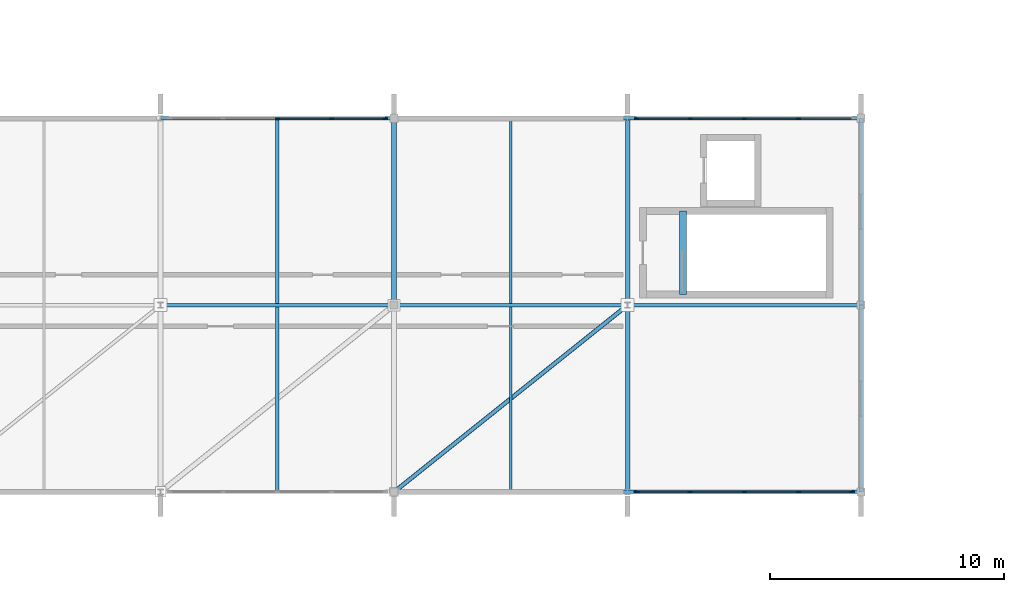
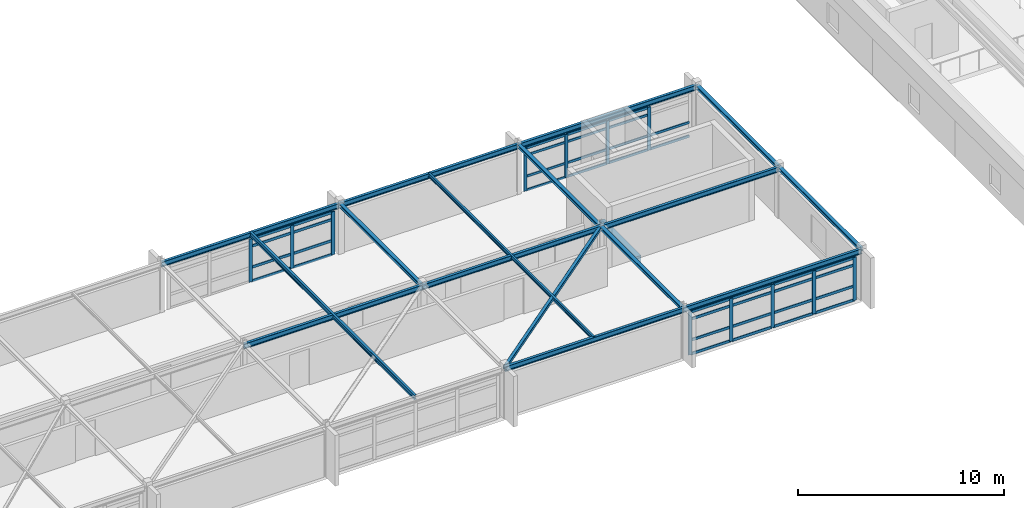
# One storey, part 12 of 83: 51 members, 16 beams, 3 elements without a shape of their own.
"""IFC4 building model written with IfcOpenShell, lengths in metres."""

from ifc_helpers import new_model, si_unit, direction, frame, origin, origin_2d, place, context, subcontext, project, spatial, rectangle, hollow_rectangle, i_section, extrude, material, material_profile, profile_set, type_object, element, aggregate, save


model = new_model("IFC4")

# Units and contexts
model_context = context("Model", 3, precision=1e-05, world=origin(), true_north=direction((0.0, 1.0)))
body_context = subcontext(model_context, "Body", "Model", "MODEL_VIEW")
ifc_project = project(units=[si_unit("LENGTHUNIT", "METRE"), si_unit("AREAUNIT", "SQUARE_METRE"), si_unit("VOLUMEUNIT", "CUBIC_METRE"), si_unit("PLANEANGLEUNIT", "RADIAN"), si_unit("MASSUNIT", "GRAM", prefix="KILO")], contexts=[model_context])

# Site, building, storey
site_placement = place(None, origin())
site = spatial("IfcSite", under=ifc_project, at=site_placement, CompositionType="ELEMENT")
building_placement = place(site_placement, origin())
building = spatial("IfcBuilding", under=site, at=building_placement, Name="Zimvara Arc Housing Community", CompositionType="ELEMENT")
storey_placement = place(building_placement, frame((0.0, 0.0, 4.5)))
storey = spatial("IfcBuildingStorey", under=building, at=storey_placement, Name="L01", CompositionType="ELEMENT", Elevation=4.5)

# Beams
ifc_material_1 = material(Name="Concrete C40/50", Category="concrete")
ifc_material_profile_1 = material_profile(ifc_material_1, rectangle(XDim=0.300048828125, YDim=0.5, at=origin_2d()), Name="RC 300x500")
ifc_profile_set_1 = profile_set([ifc_material_profile_1], Name="Concrete C40/50")
beam_type_1 = type_object("IfcBeamType", Name="BM-RC-300x500", PredefinedType="BEAM", material=ifc_profile_set_1)
beam_1_placement = place(storey_placement, frame((50.3798828125, 12.054931640625, -0.25), z_axis=(0.0, 1.0, 0.0), x_axis=(-1.0, 0.0, 0.0)))
element("IfcBeam", 1, at=beam_1_placement, inside=storey, type_object=beam_type_1, Name="bm:stair_trim:ST-S1:L01:near", PredefinedType="BEAM", context=body_context, shape_type="SweptSolid", body=[
    extrude(rectangle(XDim=0.300048828125, YDim=0.5, at=origin_2d()), origin(), (0.0, 0.0, 1.0), 3.570068359375),
])
ifc_material_2 = material(Name="Steel S355", Category="steel")
ifc_material_profile_2 = material_profile(ifc_material_2, i_section(OverallWidth=0.199951171875, OverallDepth=0.18994140625, WebThickness=0.006591796875, FlangeThickness=0.010009765625, FilletRadius=0.01806640625, at=origin_2d()), Name="HEA 200")
ifc_profile_set_2 = profile_set([ifc_material_profile_2], Name="Steel S355")
beam_type_2 = type_object("IfcBeamType", Name="BM-ST-HEA200", PredefinedType="BEAM", material=ifc_profile_set_2)
for number, where, z_axis, x_axis, name in (
    (2, (38.0, 11.60009765625, 2.85498046875), (0.0, 1.0, 0.0), (-1.0, 0.0, 0.0), "bm:shops:L01:y:x4:b1"),
    (3, (48.0, 3.60009765625, 2.85498046875), (0.0, 1.0, 0.0), (-1.0, 0.0, 0.0), "bm:shops:L01:y:x5:b0"),
    (4, (48.0, 11.60009765625, 2.85498046875), (0.0, 1.0, 0.0), (-1.0, 0.0, 0.0), "bm:shops:L01:y:x5:b1"),
    (5, (58.0, 3.60009765625, 2.85498046875), (0.0, 1.0, 0.0), (-1.0, 0.0, 0.0), "bm:shops:L01:y:x6:b0"),
    (6, (58.0, 11.60009765625, 2.85498046875), (0.0, 1.0, 0.0), (-1.0, 0.0, 0.0), "bm:shops:L01:y:x6:b1"),
):
    element("IfcBeam", number, at=place(storey_placement, frame(where, z_axis=z_axis, x_axis=x_axis)), inside=storey, type_object=beam_type_2, Name=name, PredefinedType="BEAM", context=body_context, shape_type="SweptSolid", body=[
        extrude(i_section(OverallWidth=0.199951171875, OverallDepth=0.18994140625, WebThickness=0.006591796875, FlangeThickness=0.010009765625, FilletRadius=0.01806640625, at=origin_2d()), origin(), (0.0, 0.0, 1.0), 8.0),
    ])
ifc_material_3 = material(Name="Steel S355", Category="steel")
ifc_material_profile_3 = material_profile(ifc_material_3, i_section(OverallWidth=0.110107421875, OverallDepth=0.219970703125, WebThickness=0.005859375, FlangeThickness=0.00927734375, FilletRadius=0.011962890625, at=origin_2d()), Name="IPE 220")
ifc_profile_set_3 = profile_set([ifc_material_profile_3], Name="Steel S355")
beam_type_3 = type_object("IfcBeamType", Name="BM-ST-IPE220", PredefinedType="JOIST", material=ifc_profile_set_3)
beam_2_placement = place(storey_placement, frame((43.0, 3.60009765625, 2.85009765625), z_axis=(0.0, 1.0, 0.0), x_axis=(-1.0, 0.0, 0.0)))
element("IfcBeam", 7, at=beam_2_placement, inside=storey, type_object=beam_type_3, Name="bm:shops:L01:joist:b4", PredefinedType="JOIST", context=body_context, shape_type="SweptSolid", body=[
    extrude(i_section(OverallWidth=0.110107421875, OverallDepth=0.219970703125, WebThickness=0.005859375, FlangeThickness=0.00927734375, FilletRadius=0.011962890625, at=origin_2d()), origin(), (0.0, 0.0, 1.0), 16.0),
])
ifc_material_4 = material(Name="Steel S355", Category="steel")
ifc_material_profile_4 = material_profile(ifc_material_4, i_section(OverallWidth=0.135009765625, OverallDepth=0.27001953125, WebThickness=0.006591796875, FlangeThickness=0.01025390625, FilletRadius=0.014892578125, at=origin_2d()), Name="IPE 270")
ifc_profile_set_4 = profile_set([ifc_material_profile_4], Name="Steel S355")
beam_type_4 = type_object("IfcBeamType", Name="BM-ST-IPE270", PredefinedType="JOIST", material=ifc_profile_set_4)
beam_3_placement = place(storey_placement, frame((33.0, 3.60009765625, 2.85009765625), z_axis=(0.0, 1.0, 0.0), x_axis=(-1.0, 0.0, 0.0)))
element("IfcBeam", 8, at=beam_3_placement, inside=storey, type_object=beam_type_4, Name="bm:shops:L01:joist:b3", PredefinedType="JOIST", context=body_context, shape_type="SweptSolid", body=[
    extrude(i_section(OverallWidth=0.135009765625, OverallDepth=0.27001953125, WebThickness=0.006591796875, FlangeThickness=0.01025390625, FilletRadius=0.014892578125, at=origin_2d()), origin(), (0.0, 0.0, 1.0), 16.0),
])
ifc_material_5 = material(Name="Steel S355", Category="steel")
ifc_material_profile_5 = material_profile(ifc_material_5, i_section(OverallWidth=0.14990234375, OverallDepth=0.300048828125, WebThickness=0.007080078125, FlangeThickness=0.0107421875, FilletRadius=0.014892578125, at=origin_2d()), Name="IPE 300")
ifc_profile_set_5 = profile_set([ifc_material_profile_5], Name="Steel S355")
beam_type_5 = type_object("IfcBeamType", Name="BM-ST-IPE300", PredefinedType="BEAM", material=ifc_profile_set_5)
for number, where, z_axis, x_axis, name in (
    (9, (38.0, 3.60009765625, 2.800048828125), (1.0, 0.0, 0.0), (0.0, 1.0, 0.0), "bm:shops:L01:x:y0:b4"),
    (10, (48.0, 3.60009765625, 2.800048828125), (1.0, 0.0, 0.0), (0.0, 1.0, 0.0), "bm:shops:L01:x:y0:b5"),
    (11, (28.0, 11.60009765625, 2.800048828125), (1.0, 0.0, 0.0), (0.0, 1.0, 0.0), "bm:shops:L01:x:y1:b3"),
    (12, (38.0, 11.60009765625, 2.800048828125), (1.0, 0.0, 0.0), (0.0, 1.0, 0.0), "bm:shops:L01:x:y1:b4"),
    (13, (48.0, 11.60009765625, 2.800048828125), (1.0, 0.0, 0.0), (0.0, 1.0, 0.0), "bm:shops:L01:x:y1:b5"),
    (14, (28.0, 19.60009765625, 2.800048828125), (1.0, 0.0, 0.0), (0.0, 1.0, 0.0), "bm:shops:L01:x:y2:b3"),
    (15, (38.0, 19.60009765625, 2.800048828125), (1.0, 0.0, 0.0), (0.0, 1.0, 0.0), "bm:shops:L01:x:y2:b4"),
    (16, (48.0, 19.60009765625, 2.800048828125), (1.0, 0.0, 0.0), (0.0, 1.0, 0.0), "bm:shops:L01:x:y2:b5"),
):
    element("IfcBeam", number, at=place(storey_placement, frame(where, z_axis=z_axis, x_axis=x_axis)), inside=storey, type_object=beam_type_5, Name=name, PredefinedType="BEAM", context=body_context, shape_type="SweptSolid", body=[
        extrude(i_section(OverallWidth=0.14990234375, OverallDepth=0.300048828125, WebThickness=0.007080078125, FlangeThickness=0.0107421875, FilletRadius=0.014892578125, at=origin_2d()), origin(), (0.0, 0.0, 1.0), 10.0),
    ])

# Curtain wall, members
ifc_material_6 = material(Name="Anodised Aluminium AW-6063", Category="aluminium")
curtain_wall_type_1 = type_object("IfcCurtainWallType", Name="CW-SYS-04", PredefinedType="USERDEFINED", material=ifc_material_6)
curtain_wall_1_placement = place(storey_placement, origin())
curtain_wall_1 = element("IfcCurtainWall", 17, at=curtain_wall_1_placement, inside=storey, type_object=curtain_wall_type_1, Name="cw:shops:L01:north:b5", ObjectType="CURTAIN WALL", PredefinedType="USERDEFINED")
ifc_material_7 = material(Name="Anodised Aluminium AW-6063", Category="aluminium")
ifc_material_profile_6 = material_profile(ifc_material_7, rectangle(XDim=0.06494140625, YDim=0.179931640625, at=origin_2d()), Name="ALU 65x180")
ifc_profile_set_6 = profile_set([ifc_material_profile_6], Name="Anodised Aluminium AW-6063")
member_type_1 = type_object("IfcMemberType", Name="CWM-65x150", PredefinedType="MULLION", material=ifc_profile_set_6)
member_1_placement = place(storey_placement, frame((48.392578125, 19.60009765625, 0.0), z_axis=(0.0, 0.0, 1.0), x_axis=(0.0, 1.0, 0.0)))
member_1 = element("IfcMember", 18, at=member_1_placement, type_object=member_type_1, Name="CW04 mullion 1", PredefinedType="MULLION", context=body_context, shape_type="SweptSolid", body=[
    extrude(rectangle(XDim=0.06494140625, YDim=0.179931640625, at=origin_2d()), origin(), (0.0, 0.0, 1.0), 2.550048828125),
])
member_2_placement = place(storey_placement, frame((50.679931640625, 19.60009765625, 0.0), z_axis=(0.0, 0.0, 1.0), x_axis=(0.0, 1.0, 0.0)))
member_2 = element("IfcMember", 19, at=member_2_placement, type_object=member_type_1, Name="CW04 mullion 2", PredefinedType="MULLION", context=body_context, shape_type="SweptSolid", body=[
    extrude(rectangle(XDim=0.06494140625, YDim=0.179931640625, at=origin_2d()), origin(), (0.0, 0.0, 1.0), 2.550048828125),
])
member_3_placement = place(storey_placement, frame((53.0, 19.60009765625, 0.0), z_axis=(0.0, 0.0, 1.0), x_axis=(0.0, 1.0, 0.0)))
member_3 = element("IfcMember", 20, at=member_3_placement, type_object=member_type_1, Name="CW04 mullion 3", PredefinedType="MULLION", context=body_context, shape_type="SweptSolid", body=[
    extrude(rectangle(XDim=0.06494140625, YDim=0.179931640625, at=origin_2d()), origin(), (0.0, 0.0, 1.0), 2.550048828125),
])
member_4_placement = place(storey_placement, frame((55.320068359375, 19.60009765625, 0.0), z_axis=(0.0, 0.0, 1.0), x_axis=(0.0, 1.0, 0.0)))
member_4 = element("IfcMember", 21, at=member_4_placement, type_object=member_type_1, Name="CW04 mullion 4", PredefinedType="MULLION", context=body_context, shape_type="SweptSolid", body=[
    extrude(rectangle(XDim=0.06494140625, YDim=0.179931640625, at=origin_2d()), origin(), (0.0, 0.0, 1.0), 2.550048828125),
])

ifc_material_8 = material(Name="Anodised Aluminium AW-6063", Category="aluminium")
curtain_wall_type_2 = type_object("IfcCurtainWallType", Name="CW-SYS-01", PredefinedType="USERDEFINED", material=ifc_material_8)
curtain_wall_2_placement = place(storey_placement, origin())
curtain_wall_2 = element("IfcCurtainWall", 22, at=curtain_wall_2_placement, inside=storey, type_object=curtain_wall_type_2, Name="cw:shops:L01:south:b5", ObjectType="CURTAIN WALL", PredefinedType="USERDEFINED")
ifc_material_9 = material(Name="Anodised Aluminium AW-6063", Category="aluminium")
ifc_material_profile_7 = material_profile(ifc_material_9, rectangle(XDim=0.06494140625, YDim=0.195068359375, at=origin_2d()), Name="ALU 65x195")
ifc_profile_set_7 = profile_set([ifc_material_profile_7], Name="Anodised Aluminium AW-6063")
member_type_2 = type_object("IfcMemberType", Name="CWM-65x180", PredefinedType="MULLION", material=ifc_profile_set_7)
member_5_placement = place(storey_placement, frame((48.392578125, 3.60009765625, 0.0), z_axis=(0.0, 0.0, 1.0), x_axis=(0.0, 1.0, 0.0)))
member_5 = element("IfcMember", 23, at=member_5_placement, type_object=member_type_2, Name="CW01 mullion 1", PredefinedType="MULLION", context=body_context, shape_type="SweptSolid", body=[
    extrude(rectangle(XDim=0.06494140625, YDim=0.195068359375, at=origin_2d()), origin(), (0.0, 0.0, 1.0), 2.550048828125),
])
member_6_placement = place(storey_placement, frame((50.679931640625, 3.60009765625, 0.0), z_axis=(0.0, 0.0, 1.0), x_axis=(0.0, 1.0, 0.0)))
member_6 = element("IfcMember", 24, at=member_6_placement, type_object=member_type_2, Name="CW01 mullion 2", PredefinedType="MULLION", context=body_context, shape_type="SweptSolid", body=[
    extrude(rectangle(XDim=0.06494140625, YDim=0.195068359375, at=origin_2d()), origin(), (0.0, 0.0, 1.0), 2.550048828125),
])
member_7_placement = place(storey_placement, frame((53.0, 3.60009765625, 0.0), z_axis=(0.0, 0.0, 1.0), x_axis=(0.0, 1.0, 0.0)))
member_7 = element("IfcMember", 25, at=member_7_placement, type_object=member_type_2, Name="CW01 mullion 3", PredefinedType="MULLION", context=body_context, shape_type="SweptSolid", body=[
    extrude(rectangle(XDim=0.06494140625, YDim=0.195068359375, at=origin_2d()), origin(), (0.0, 0.0, 1.0), 2.550048828125),
])
member_8_placement = place(storey_placement, frame((55.320068359375, 3.60009765625, 0.0), z_axis=(0.0, 0.0, 1.0), x_axis=(0.0, 1.0, 0.0)))
member_8 = element("IfcMember", 26, at=member_8_placement, type_object=member_type_2, Name="CW01 mullion 4", PredefinedType="MULLION", context=body_context, shape_type="SweptSolid", body=[
    extrude(rectangle(XDim=0.06494140625, YDim=0.195068359375, at=origin_2d()), origin(), (0.0, 0.0, 1.0), 2.550048828125),
])
member_9_placement = place(storey_placement, frame((57.607421875, 3.60009765625, 0.0), z_axis=(0.0, 0.0, 1.0), x_axis=(0.0, 1.0, 0.0)))
member_9 = element("IfcMember", 27, at=member_9_placement, type_object=member_type_2, Name="CW01 mullion 5", PredefinedType="MULLION", context=body_context, shape_type="SweptSolid", body=[
    extrude(rectangle(XDim=0.06494140625, YDim=0.195068359375, at=origin_2d()), origin(), (0.0, 0.0, 1.0), 2.550048828125),
])

ifc_material_10 = material(Name="Anodised Aluminium AW-6063", Category="aluminium")
curtain_wall_type_3 = type_object("IfcCurtainWallType", Name="CW-SYS-03", PredefinedType="USERDEFINED", material=ifc_material_10)
curtain_wall_3_placement = place(storey_placement, origin())
curtain_wall_3 = element("IfcCurtainWall", 28, at=curtain_wall_3_placement, inside=storey, type_object=curtain_wall_type_3, Name="cw:shops:L01:north:b3", ObjectType="CURTAIN WALL", PredefinedType="USERDEFINED")
member_10_placement = place(storey_placement, frame((33.0, 19.60009765625, 0.0), z_axis=(0.0, 0.0, 1.0), x_axis=(0.0, 1.0, 0.0)))
member_10 = element("IfcMember", 29, at=member_10_placement, type_object=member_type_2, Name="CW03 mullion 3", PredefinedType="MULLION", context=body_context, shape_type="SweptSolid", body=[
    extrude(rectangle(XDim=0.06494140625, YDim=0.195068359375, at=origin_2d()), origin(), (0.0, 0.0, 1.0), 2.550048828125),
])
member_11_placement = place(storey_placement, frame((35.320068359375, 19.60009765625, 0.0), z_axis=(0.0, 0.0, 1.0), x_axis=(0.0, 1.0, 0.0)))
member_11 = element("IfcMember", 30, at=member_11_placement, type_object=member_type_2, Name="CW03 mullion 4", PredefinedType="MULLION", context=body_context, shape_type="SweptSolid", body=[
    extrude(rectangle(XDim=0.06494140625, YDim=0.195068359375, at=origin_2d()), origin(), (0.0, 0.0, 1.0), 2.550048828125),
])
member_12_placement = place(storey_placement, frame((37.607421875, 19.60009765625, 0.0), z_axis=(0.0, 0.0, 1.0), x_axis=(0.0, 1.0, 0.0)))
member_12 = element("IfcMember", 31, at=member_12_placement, type_object=member_type_2, Name="CW03 mullion 5", PredefinedType="MULLION", context=body_context, shape_type="SweptSolid", body=[
    extrude(rectangle(XDim=0.06494140625, YDim=0.195068359375, at=origin_2d()), origin(), (0.0, 0.0, 1.0), 2.550048828125),
])

# Member
ifc_material_11 = material(Name="Anodised Aluminium AW-6063", Category="aluminium")
ifc_material_profile_8 = material_profile(ifc_material_11, rectangle(XDim=0.06494140625, YDim=0.139892578125, at=origin_2d()), Name="ALU 65x140")
ifc_profile_set_8 = profile_set([ifc_material_profile_8], Name="Anodised Aluminium AW-6063")
member_type_3 = type_object("IfcMemberType", Name="CWT-65x120", PredefinedType="USERDEFINED", material=ifc_profile_set_8)
member_13_placement = place(storey_placement, frame((48.425048828125, 19.60009765625, 0.032470703125), z_axis=(1.0, 0.0, 0.0), x_axis=(0.0, 1.0, 0.0)))
member_13 = element("IfcMember", 32, at=member_13_placement, type_object=member_type_3, Name="CW04 transom 1.1", ObjectType="TRANSOM", PredefinedType="USERDEFINED", context=body_context, shape_type="SweptSolid", body=[
    extrude(rectangle(XDim=0.06494140625, YDim=0.139892578125, at=origin_2d()), origin(), (0.0, 0.0, 1.0), 2.222412109375),
])

member_14_placement = place(storey_placement, frame((48.425048828125, 19.60009765625, 0.85009765625), z_axis=(1.0, 0.0, 0.0), x_axis=(0.0, 1.0, 0.0)))
member_14 = element("IfcMember", 33, at=member_14_placement, type_object=member_type_3, Name="CW04 transom 1.2", ObjectType="TRANSOM", PredefinedType="USERDEFINED", context=body_context, shape_type="SweptSolid", body=[
    extrude(rectangle(XDim=0.06494140625, YDim=0.139892578125, at=origin_2d()), origin(), (0.0, 0.0, 1.0), 2.222412109375),
])

member_15_placement = place(storey_placement, frame((48.425048828125, 19.60009765625, 2.10009765625), z_axis=(1.0, 0.0, 0.0), x_axis=(0.0, 1.0, 0.0)))
member_15 = element("IfcMember", 34, at=member_15_placement, type_object=member_type_3, Name="CW04 transom 1.3", ObjectType="TRANSOM", PredefinedType="USERDEFINED", context=body_context, shape_type="SweptSolid", body=[
    extrude(rectangle(XDim=0.06494140625, YDim=0.139892578125, at=origin_2d()), origin(), (0.0, 0.0, 1.0), 2.222412109375),
])

member_16_placement = place(storey_placement, frame((48.425048828125, 19.60009765625, 2.517578125), z_axis=(1.0, 0.0, 0.0), x_axis=(0.0, 1.0, 0.0)))
member_16 = element("IfcMember", 35, at=member_16_placement, type_object=member_type_3, Name="CW04 transom 1.4", ObjectType="TRANSOM", PredefinedType="USERDEFINED", context=body_context, shape_type="SweptSolid", body=[
    extrude(rectangle(XDim=0.06494140625, YDim=0.139892578125, at=origin_2d()), origin(), (0.0, 0.0, 1.0), 2.222412109375),
])

member_17_placement = place(storey_placement, frame((50.71240234375, 19.60009765625, 0.032470703125), z_axis=(1.0, 0.0, 0.0), x_axis=(0.0, 1.0, 0.0)))
member_17 = element("IfcMember", 36, at=member_17_placement, type_object=member_type_3, Name="CW04 transom 2.1", ObjectType="TRANSOM", PredefinedType="USERDEFINED", context=body_context, shape_type="SweptSolid", body=[
    extrude(rectangle(XDim=0.06494140625, YDim=0.139892578125, at=origin_2d()), origin(), (0.0, 0.0, 1.0), 2.255126953125),
])

member_18_placement = place(storey_placement, frame((50.71240234375, 19.60009765625, 0.85009765625), z_axis=(1.0, 0.0, 0.0), x_axis=(0.0, 1.0, 0.0)))
member_18 = element("IfcMember", 37, at=member_18_placement, type_object=member_type_3, Name="CW04 transom 2.2", ObjectType="TRANSOM", PredefinedType="USERDEFINED", context=body_context, shape_type="SweptSolid", body=[
    extrude(rectangle(XDim=0.06494140625, YDim=0.139892578125, at=origin_2d()), origin(), (0.0, 0.0, 1.0), 2.255126953125),
])

member_19_placement = place(storey_placement, frame((50.71240234375, 19.60009765625, 2.10009765625), z_axis=(1.0, 0.0, 0.0), x_axis=(0.0, 1.0, 0.0)))
member_19 = element("IfcMember", 38, at=member_19_placement, type_object=member_type_3, Name="CW04 transom 2.3", ObjectType="TRANSOM", PredefinedType="USERDEFINED", context=body_context, shape_type="SweptSolid", body=[
    extrude(rectangle(XDim=0.06494140625, YDim=0.139892578125, at=origin_2d()), origin(), (0.0, 0.0, 1.0), 2.255126953125),
])

member_20_placement = place(storey_placement, frame((50.71240234375, 19.60009765625, 2.517578125), z_axis=(1.0, 0.0, 0.0), x_axis=(0.0, 1.0, 0.0)))
member_20 = element("IfcMember", 39, at=member_20_placement, type_object=member_type_3, Name="CW04 transom 2.4", ObjectType="TRANSOM", PredefinedType="USERDEFINED", context=body_context, shape_type="SweptSolid", body=[
    extrude(rectangle(XDim=0.06494140625, YDim=0.139892578125, at=origin_2d()), origin(), (0.0, 0.0, 1.0), 2.255126953125),
])

member_21_placement = place(storey_placement, frame((53.032470703125, 19.60009765625, 0.032470703125), z_axis=(1.0, 0.0, 0.0), x_axis=(0.0, 1.0, 0.0)))
member_21 = element("IfcMember", 40, at=member_21_placement, type_object=member_type_3, Name="CW04 transom 3.1", ObjectType="TRANSOM", PredefinedType="USERDEFINED", context=body_context, shape_type="SweptSolid", body=[
    extrude(rectangle(XDim=0.06494140625, YDim=0.139892578125, at=origin_2d()), origin(), (0.0, 0.0, 1.0), 2.255126953125),
])

member_22_placement = place(storey_placement, frame((53.032470703125, 19.60009765625, 0.85009765625), z_axis=(1.0, 0.0, 0.0), x_axis=(0.0, 1.0, 0.0)))
member_22 = element("IfcMember", 41, at=member_22_placement, type_object=member_type_3, Name="CW04 transom 3.2", ObjectType="TRANSOM", PredefinedType="USERDEFINED", context=body_context, shape_type="SweptSolid", body=[
    extrude(rectangle(XDim=0.06494140625, YDim=0.139892578125, at=origin_2d()), origin(), (0.0, 0.0, 1.0), 2.255126953125),
])

member_23_placement = place(storey_placement, frame((53.032470703125, 19.60009765625, 2.10009765625), z_axis=(1.0, 0.0, 0.0), x_axis=(0.0, 1.0, 0.0)))
member_23 = element("IfcMember", 42, at=member_23_placement, type_object=member_type_3, Name="CW04 transom 3.3", ObjectType="TRANSOM", PredefinedType="USERDEFINED", context=body_context, shape_type="SweptSolid", body=[
    extrude(rectangle(XDim=0.06494140625, YDim=0.139892578125, at=origin_2d()), origin(), (0.0, 0.0, 1.0), 2.255126953125),
])

member_24_placement = place(storey_placement, frame((53.032470703125, 19.60009765625, 2.517578125), z_axis=(1.0, 0.0, 0.0), x_axis=(0.0, 1.0, 0.0)))
member_24 = element("IfcMember", 43, at=member_24_placement, type_object=member_type_3, Name="CW04 transom 3.4", ObjectType="TRANSOM", PredefinedType="USERDEFINED", context=body_context, shape_type="SweptSolid", body=[
    extrude(rectangle(XDim=0.06494140625, YDim=0.139892578125, at=origin_2d()), origin(), (0.0, 0.0, 1.0), 2.255126953125),
])

member_25_placement = place(storey_placement, frame((55.3525390625, 19.60009765625, 0.032470703125), z_axis=(1.0, 0.0, 0.0), x_axis=(0.0, 1.0, 0.0)))
member_25 = element("IfcMember", 44, at=member_25_placement, type_object=member_type_3, Name="CW04 transom 4.1", ObjectType="TRANSOM", PredefinedType="USERDEFINED", context=body_context, shape_type="SweptSolid", body=[
    extrude(rectangle(XDim=0.06494140625, YDim=0.139892578125, at=origin_2d()), origin(), (0.0, 0.0, 1.0), 2.222412109375),
])

member_26_placement = place(storey_placement, frame((55.3525390625, 19.60009765625, 0.85009765625), z_axis=(1.0, 0.0, 0.0), x_axis=(0.0, 1.0, 0.0)))
member_26 = element("IfcMember", 45, at=member_26_placement, type_object=member_type_3, Name="CW04 transom 4.2", ObjectType="TRANSOM", PredefinedType="USERDEFINED", context=body_context, shape_type="SweptSolid", body=[
    extrude(rectangle(XDim=0.06494140625, YDim=0.139892578125, at=origin_2d()), origin(), (0.0, 0.0, 1.0), 2.222412109375),
])

aggregate(curtain_wall_1, [member_1, member_2, member_3, member_4, member_13, member_14, member_15, member_16, member_17, member_18, member_19, member_20, member_21, member_22, member_23, member_24, member_25, member_26])

ifc_material_12 = material(Name="Anodised Aluminium AW-6063", Category="aluminium")
ifc_material_profile_9 = material_profile(ifc_material_12, rectangle(XDim=0.06494140625, YDim=0.155029296875, at=origin_2d()), Name="ALU 65x155")
ifc_profile_set_9 = profile_set([ifc_material_profile_9], Name="Anodised Aluminium AW-6063")
member_type_4 = type_object("IfcMemberType", Name="CWT-65x140", PredefinedType="USERDEFINED", material=ifc_profile_set_9)
member_27_placement = place(storey_placement, frame((48.425048828125, 3.60009765625, 0.032470703125), z_axis=(1.0, 0.0, 0.0), x_axis=(0.0, 1.0, 0.0)))
member_27 = element("IfcMember", 46, at=member_27_placement, type_object=member_type_4, Name="CW01 transom 1.1", ObjectType="TRANSOM", PredefinedType="USERDEFINED", context=body_context, shape_type="SweptSolid", body=[
    extrude(rectangle(XDim=0.06494140625, YDim=0.155029296875, at=origin_2d()), origin(), (0.0, 0.0, 1.0), 2.222412109375),
])

member_28_placement = place(storey_placement, frame((48.425048828125, 3.60009765625, 0.85009765625), z_axis=(1.0, 0.0, 0.0), x_axis=(0.0, 1.0, 0.0)))
member_28 = element("IfcMember", 47, at=member_28_placement, type_object=member_type_4, Name="CW01 transom 1.2", ObjectType="TRANSOM", PredefinedType="USERDEFINED", context=body_context, shape_type="SweptSolid", body=[
    extrude(rectangle(XDim=0.06494140625, YDim=0.155029296875, at=origin_2d()), origin(), (0.0, 0.0, 1.0), 2.222412109375),
])

member_29_placement = place(storey_placement, frame((48.425048828125, 3.60009765625, 2.10009765625), z_axis=(1.0, 0.0, 0.0), x_axis=(0.0, 1.0, 0.0)))
member_29 = element("IfcMember", 48, at=member_29_placement, type_object=member_type_4, Name="CW01 transom 1.3", ObjectType="TRANSOM", PredefinedType="USERDEFINED", context=body_context, shape_type="SweptSolid", body=[
    extrude(rectangle(XDim=0.06494140625, YDim=0.155029296875, at=origin_2d()), origin(), (0.0, 0.0, 1.0), 2.222412109375),
])

member_30_placement = place(storey_placement, frame((48.425048828125, 3.60009765625, 2.517578125), z_axis=(1.0, 0.0, 0.0), x_axis=(0.0, 1.0, 0.0)))
member_30 = element("IfcMember", 49, at=member_30_placement, type_object=member_type_4, Name="CW01 transom 1.4", ObjectType="TRANSOM", PredefinedType="USERDEFINED", context=body_context, shape_type="SweptSolid", body=[
    extrude(rectangle(XDim=0.06494140625, YDim=0.155029296875, at=origin_2d()), origin(), (0.0, 0.0, 1.0), 2.222412109375),
])

member_31_placement = place(storey_placement, frame((50.71240234375, 3.60009765625, 0.032470703125), z_axis=(1.0, 0.0, 0.0), x_axis=(0.0, 1.0, 0.0)))
member_31 = element("IfcMember", 50, at=member_31_placement, type_object=member_type_4, Name="CW01 transom 2.1", ObjectType="TRANSOM", PredefinedType="USERDEFINED", context=body_context, shape_type="SweptSolid", body=[
    extrude(rectangle(XDim=0.06494140625, YDim=0.155029296875, at=origin_2d()), origin(), (0.0, 0.0, 1.0), 2.255126953125),
])

member_32_placement = place(storey_placement, frame((50.71240234375, 3.60009765625, 0.85009765625), z_axis=(1.0, 0.0, 0.0), x_axis=(0.0, 1.0, 0.0)))
member_32 = element("IfcMember", 51, at=member_32_placement, type_object=member_type_4, Name="CW01 transom 2.2", ObjectType="TRANSOM", PredefinedType="USERDEFINED", context=body_context, shape_type="SweptSolid", body=[
    extrude(rectangle(XDim=0.06494140625, YDim=0.155029296875, at=origin_2d()), origin(), (0.0, 0.0, 1.0), 2.255126953125),
])

member_33_placement = place(storey_placement, frame((50.71240234375, 3.60009765625, 2.10009765625), z_axis=(1.0, 0.0, 0.0), x_axis=(0.0, 1.0, 0.0)))
member_33 = element("IfcMember", 52, at=member_33_placement, type_object=member_type_4, Name="CW01 transom 2.3", ObjectType="TRANSOM", PredefinedType="USERDEFINED", context=body_context, shape_type="SweptSolid", body=[
    extrude(rectangle(XDim=0.06494140625, YDim=0.155029296875, at=origin_2d()), origin(), (0.0, 0.0, 1.0), 2.255126953125),
])

member_34_placement = place(storey_placement, frame((50.71240234375, 3.60009765625, 2.517578125), z_axis=(1.0, 0.0, 0.0), x_axis=(0.0, 1.0, 0.0)))
member_34 = element("IfcMember", 53, at=member_34_placement, type_object=member_type_4, Name="CW01 transom 2.4", ObjectType="TRANSOM", PredefinedType="USERDEFINED", context=body_context, shape_type="SweptSolid", body=[
    extrude(rectangle(XDim=0.06494140625, YDim=0.155029296875, at=origin_2d()), origin(), (0.0, 0.0, 1.0), 2.255126953125),
])

member_35_placement = place(storey_placement, frame((53.032470703125, 3.60009765625, 0.032470703125), z_axis=(1.0, 0.0, 0.0), x_axis=(0.0, 1.0, 0.0)))
member_35 = element("IfcMember", 54, at=member_35_placement, type_object=member_type_4, Name="CW01 transom 3.1", ObjectType="TRANSOM", PredefinedType="USERDEFINED", context=body_context, shape_type="SweptSolid", body=[
    extrude(rectangle(XDim=0.06494140625, YDim=0.155029296875, at=origin_2d()), origin(), (0.0, 0.0, 1.0), 2.255126953125),
])

member_36_placement = place(storey_placement, frame((53.032470703125, 3.60009765625, 0.85009765625), z_axis=(1.0, 0.0, 0.0), x_axis=(0.0, 1.0, 0.0)))
member_36 = element("IfcMember", 55, at=member_36_placement, type_object=member_type_4, Name="CW01 transom 3.2", ObjectType="TRANSOM", PredefinedType="USERDEFINED", context=body_context, shape_type="SweptSolid", body=[
    extrude(rectangle(XDim=0.06494140625, YDim=0.155029296875, at=origin_2d()), origin(), (0.0, 0.0, 1.0), 2.255126953125),
])

member_37_placement = place(storey_placement, frame((53.032470703125, 3.60009765625, 2.10009765625), z_axis=(1.0, 0.0, 0.0), x_axis=(0.0, 1.0, 0.0)))
member_37 = element("IfcMember", 56, at=member_37_placement, type_object=member_type_4, Name="CW01 transom 3.3", ObjectType="TRANSOM", PredefinedType="USERDEFINED", context=body_context, shape_type="SweptSolid", body=[
    extrude(rectangle(XDim=0.06494140625, YDim=0.155029296875, at=origin_2d()), origin(), (0.0, 0.0, 1.0), 2.255126953125),
])

member_38_placement = place(storey_placement, frame((53.032470703125, 3.60009765625, 2.517578125), z_axis=(1.0, 0.0, 0.0), x_axis=(0.0, 1.0, 0.0)))
member_38 = element("IfcMember", 57, at=member_38_placement, type_object=member_type_4, Name="CW01 transom 3.4", ObjectType="TRANSOM", PredefinedType="USERDEFINED", context=body_context, shape_type="SweptSolid", body=[
    extrude(rectangle(XDim=0.06494140625, YDim=0.155029296875, at=origin_2d()), origin(), (0.0, 0.0, 1.0), 2.255126953125),
])

member_39_placement = place(storey_placement, frame((55.3525390625, 3.60009765625, 0.032470703125), z_axis=(1.0, 0.0, 0.0), x_axis=(0.0, 1.0, 0.0)))
member_39 = element("IfcMember", 58, at=member_39_placement, type_object=member_type_4, Name="CW01 transom 4.1", ObjectType="TRANSOM", PredefinedType="USERDEFINED", context=body_context, shape_type="SweptSolid", body=[
    extrude(rectangle(XDim=0.06494140625, YDim=0.155029296875, at=origin_2d()), origin(), (0.0, 0.0, 1.0), 2.222412109375),
])

member_40_placement = place(storey_placement, frame((55.3525390625, 3.60009765625, 0.85009765625), z_axis=(1.0, 0.0, 0.0), x_axis=(0.0, 1.0, 0.0)))
member_40 = element("IfcMember", 59, at=member_40_placement, type_object=member_type_4, Name="CW01 transom 4.2", ObjectType="TRANSOM", PredefinedType="USERDEFINED", context=body_context, shape_type="SweptSolid", body=[
    extrude(rectangle(XDim=0.06494140625, YDim=0.155029296875, at=origin_2d()), origin(), (0.0, 0.0, 1.0), 2.222412109375),
])

member_41_placement = place(storey_placement, frame((55.3525390625, 3.60009765625, 2.10009765625), z_axis=(1.0, 0.0, 0.0), x_axis=(0.0, 1.0, 0.0)))
member_41 = element("IfcMember", 60, at=member_41_placement, type_object=member_type_4, Name="CW01 transom 4.3", ObjectType="TRANSOM", PredefinedType="USERDEFINED", context=body_context, shape_type="SweptSolid", body=[
    extrude(rectangle(XDim=0.06494140625, YDim=0.155029296875, at=origin_2d()), origin(), (0.0, 0.0, 1.0), 2.222412109375),
])

member_42_placement = place(storey_placement, frame((55.3525390625, 3.60009765625, 2.517578125), z_axis=(1.0, 0.0, 0.0), x_axis=(0.0, 1.0, 0.0)))
member_42 = element("IfcMember", 61, at=member_42_placement, type_object=member_type_4, Name="CW01 transom 4.4", ObjectType="TRANSOM", PredefinedType="USERDEFINED", context=body_context, shape_type="SweptSolid", body=[
    extrude(rectangle(XDim=0.06494140625, YDim=0.155029296875, at=origin_2d()), origin(), (0.0, 0.0, 1.0), 2.222412109375),
])

aggregate(curtain_wall_2, [member_5, member_6, member_7, member_8, member_9, member_27, member_28, member_29, member_30, member_31, member_32, member_33, member_34, member_35, member_36, member_37, member_38, member_39, member_40, member_41, member_42])

member_43_placement = place(storey_placement, frame((33.032470703125, 19.60009765625, 0.032470703125), z_axis=(1.0, 0.0, 0.0), x_axis=(0.0, 1.0, 0.0)))
member_43 = element("IfcMember", 62, at=member_43_placement, type_object=member_type_4, Name="CW03 transom 3.1", ObjectType="TRANSOM", PredefinedType="USERDEFINED", context=body_context, shape_type="SweptSolid", body=[
    extrude(rectangle(XDim=0.06494140625, YDim=0.155029296875, at=origin_2d()), origin(), (0.0, 0.0, 1.0), 2.255126953125),
])

member_44_placement = place(storey_placement, frame((33.032470703125, 19.60009765625, 0.85009765625), z_axis=(1.0, 0.0, 0.0), x_axis=(0.0, 1.0, 0.0)))
member_44 = element("IfcMember", 63, at=member_44_placement, type_object=member_type_4, Name="CW03 transom 3.2", ObjectType="TRANSOM", PredefinedType="USERDEFINED", context=body_context, shape_type="SweptSolid", body=[
    extrude(rectangle(XDim=0.06494140625, YDim=0.155029296875, at=origin_2d()), origin(), (0.0, 0.0, 1.0), 2.255126953125),
])

member_45_placement = place(storey_placement, frame((33.032470703125, 19.60009765625, 2.10009765625), z_axis=(1.0, 0.0, 0.0), x_axis=(0.0, 1.0, 0.0)))
member_45 = element("IfcMember", 64, at=member_45_placement, type_object=member_type_4, Name="CW03 transom 3.3", ObjectType="TRANSOM", PredefinedType="USERDEFINED", context=body_context, shape_type="SweptSolid", body=[
    extrude(rectangle(XDim=0.06494140625, YDim=0.155029296875, at=origin_2d()), origin(), (0.0, 0.0, 1.0), 2.255126953125),
])

member_46_placement = place(storey_placement, frame((33.032470703125, 19.60009765625, 2.517578125), z_axis=(1.0, 0.0, 0.0), x_axis=(0.0, 1.0, 0.0)))
member_46 = element("IfcMember", 65, at=member_46_placement, type_object=member_type_4, Name="CW03 transom 3.4", ObjectType="TRANSOM", PredefinedType="USERDEFINED", context=body_context, shape_type="SweptSolid", body=[
    extrude(rectangle(XDim=0.06494140625, YDim=0.155029296875, at=origin_2d()), origin(), (0.0, 0.0, 1.0), 2.255126953125),
])

member_47_placement = place(storey_placement, frame((35.3525390625, 19.60009765625, 0.032470703125), z_axis=(1.0, 0.0, 0.0), x_axis=(0.0, 1.0, 0.0)))
member_47 = element("IfcMember", 66, at=member_47_placement, type_object=member_type_4, Name="CW03 transom 4.1", ObjectType="TRANSOM", PredefinedType="USERDEFINED", context=body_context, shape_type="SweptSolid", body=[
    extrude(rectangle(XDim=0.06494140625, YDim=0.155029296875, at=origin_2d()), origin(), (0.0, 0.0, 1.0), 2.222412109375),
])

member_48_placement = place(storey_placement, frame((35.3525390625, 19.60009765625, 0.85009765625), z_axis=(1.0, 0.0, 0.0), x_axis=(0.0, 1.0, 0.0)))
member_48 = element("IfcMember", 67, at=member_48_placement, type_object=member_type_4, Name="CW03 transom 4.2", ObjectType="TRANSOM", PredefinedType="USERDEFINED", context=body_context, shape_type="SweptSolid", body=[
    extrude(rectangle(XDim=0.06494140625, YDim=0.155029296875, at=origin_2d()), origin(), (0.0, 0.0, 1.0), 2.222412109375),
])

member_49_placement = place(storey_placement, frame((35.3525390625, 19.60009765625, 2.10009765625), z_axis=(1.0, 0.0, 0.0), x_axis=(0.0, 1.0, 0.0)))
member_49 = element("IfcMember", 68, at=member_49_placement, type_object=member_type_4, Name="CW03 transom 4.3", ObjectType="TRANSOM", PredefinedType="USERDEFINED", context=body_context, shape_type="SweptSolid", body=[
    extrude(rectangle(XDim=0.06494140625, YDim=0.155029296875, at=origin_2d()), origin(), (0.0, 0.0, 1.0), 2.222412109375),
])

member_50_placement = place(storey_placement, frame((35.3525390625, 19.60009765625, 2.517578125), z_axis=(1.0, 0.0, 0.0), x_axis=(0.0, 1.0, 0.0)))
member_50 = element("IfcMember", 69, at=member_50_placement, type_object=member_type_4, Name="CW03 transom 4.4", ObjectType="TRANSOM", PredefinedType="USERDEFINED", context=body_context, shape_type="SweptSolid", body=[
    extrude(rectangle(XDim=0.06494140625, YDim=0.155029296875, at=origin_2d()), origin(), (0.0, 0.0, 1.0), 2.222412109375),
])

aggregate(curtain_wall_3, [member_10, member_11, member_12, member_43, member_44, member_45, member_46, member_47, member_48, member_49, member_50])

ifc_material_13 = material(Name="Steel S355", Category="steel")
ifc_material_profile_10 = material_profile(ifc_material_13, hollow_rectangle(XDim=0.179931640625, YDim=0.179931640625, WallThickness=0.008056640625, InnerFilletRadius=0.008056640625, OuterFilletRadius=0.01611328125, at=origin_2d()), Name="SHS 180x180x8.0")
ifc_profile_set_10 = profile_set([ifc_material_profile_10], Name="Steel S355")
member_type_5 = type_object("IfcMemberType", Name="MB-BRACE-SHS180", PredefinedType="BRACE", material=ifc_profile_set_10)
member_51_placement = place(storey_placement, frame((38.0, 3.60009765625, 2.85009765625), z_axis=(0.780868809443, 0.624695047554, 0.0), x_axis=(-0.624695047554, 0.780868809443, 0.0)))
element("IfcMember", 70, at=member_51_placement, inside=storey, type_object=member_type_5, Name="mb:shops:L01:brace:b4", PredefinedType="BRACE", context=body_context, shape_type="SweptSolid", body=[
    extrude(hollow_rectangle(XDim=0.179931640625, YDim=0.179931640625, WallThickness=0.008056640625, InnerFilletRadius=0.008056640625, OuterFilletRadius=0.01611328125, at=origin_2d()), origin(), (0.0, 0.0, 1.0), 12.80615234375),
])

save(model, "model.ifc")
